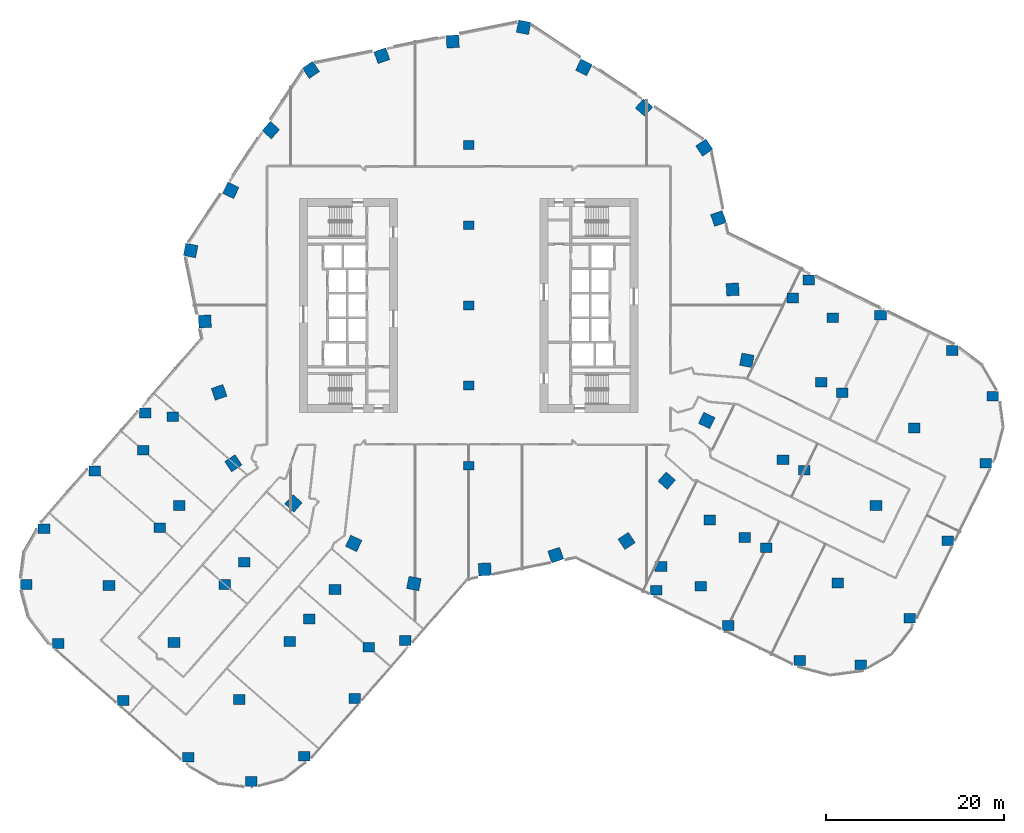
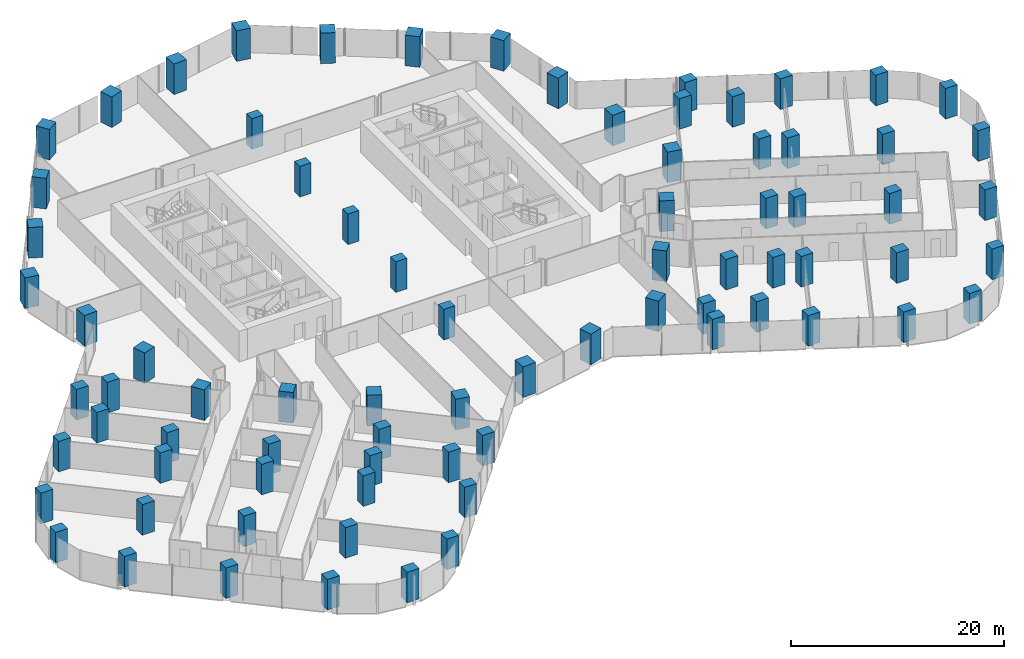
# One storey, part 1 of 38: 78 columns.
"""IFC4 building model written with IfcOpenShell, lengths in metres."""

import ifcopenshell
import ifcopenshell.guid

model = None  # the IFC model being written
_history = None  # IfcOwnerHistory: only IFC2X3 demands one
_inside = {}  # id of a spatial element -> (the spatial element, [elements in it])
_under = {}  # id of a project, library or spatial element -> (it, [spatial elements below it])
_declared = {}  # id of a project -> (the project, [libraries it declares])
_typed = {}  # id of a type object -> (the type object, [elements of that type])
_made_of = {}  # id of a material, layer set ... -> (it, [elements and type objects made of it])


def new_model(schema):
    """Start an empty IFC model of exactly this schema.

    Asked for "IFC4X3", IfcOpenShell would pick the latest addendum, in which some entities
    have other attributes; the version numbers below select the first issue.
    IFC2X3 requires an IfcOwnerHistory on every rooted entity: one is made here for all.
    """
    global model, _history
    if schema == "IFC4X3":
        model = ifcopenshell.file(schema_version=(4, 3, 0, 0))
    else:
        model = ifcopenshell.file(schema=schema)
    _inside.clear()
    _under.clear()
    _declared.clear()
    _typed.clear()
    _made_of.clear()
    _history = None
    if model.schema == "IFC2X3":
        org = make("IfcOrganization", Name="unknown")
        user = make(
            "IfcPersonAndOrganization",
            ThePerson=make("IfcPerson", FamilyName="unknown"),
            TheOrganization=org,
        )
        app = make(
            "IfcApplication",
            ApplicationDeveloper=org,
            Version="unknown",
            ApplicationFullName="unknown",
            ApplicationIdentifier="unknown",
        )
        _history = make(
            "IfcOwnerHistory",
            OwningUser=user,
            OwningApplication=app,
            ChangeAction="ADDED",
            CreationDate=0,
        )
    return model


def make(cls, **values):
    """One entity of the class cls with the attributes given. An attribute that is None is left unset."""
    return model.create_entity(
        cls, **{name: value for name, value in values.items() if value is not None}
    )


def rooted(cls, **values):
    """An entity with a GlobalId (a new one), such as an element, a storey or a relation."""
    return make(cls, GlobalId=ifcopenshell.guid.new(), OwnerHistory=_history, **values)


def si_unit(unit_type, name, prefix=None):
    """IfcSIUnit, for example si_unit("LENGTHUNIT", "METRE", prefix="MILLI")."""
    return make("IfcSIUnit", UnitType=unit_type, Prefix=prefix, Name=name)


def assignment(units):
    """IfcUnitAssignment: the units of a project."""
    return None if units is None else make("IfcUnitAssignment", Units=units)


def point(xyz):
    """IfcCartesianPoint."""
    return None if xyz is None else make("IfcCartesianPoint", Coordinates=xyz)


def direction(xyz):
    """IfcDirection."""
    return None if xyz is None else make("IfcDirection", DirectionRatios=xyz)


def frame(location, z_axis=None, x_axis=None):
    """IfcAxis2Placement3D, a coordinate frame: its origin and axes. An axis left out is left unset."""
    return make(
        "IfcAxis2Placement3D",
        Location=point(location),
        Axis=direction(z_axis),
        RefDirection=direction(x_axis),
    )


def frame_2d(location, x_axis=None):
    """IfcAxis2Placement2D, a coordinate frame in the plane: its origin and x axis."""
    return make(
        "IfcAxis2Placement2D", Location=point(location), RefDirection=direction(x_axis)
    )


def origin():
    """The frame at (0, 0, 0) with its axes left unset."""
    return frame((0.0, 0.0, 0.0))


def origin_2d():
    """The frame at (0, 0) in the plane with its x axis left unset."""
    return frame_2d((0.0, 0.0))


def place(relative_to, where):
    """IfcLocalPlacement: puts the frame where relative to a parent placement (None: the world)."""
    return make(
        "IfcLocalPlacement", PlacementRelTo=relative_to, RelativePlacement=where
    )


def context(
    kind, dimensions, precision=None, world=None, true_north=None, identifier=None
):
    """IfcGeometricRepresentationContext, for example the 3D "Model" context."""
    return make(
        "IfcGeometricRepresentationContext",
        ContextIdentifier=identifier,
        ContextType=kind,
        CoordinateSpaceDimension=dimensions,
        Precision=precision,
        WorldCoordinateSystem=world,
        TrueNorth=true_north,
    )


def subcontext(parent, identifier, kind, view, scale=None):
    """IfcGeometricRepresentationSubContext, for example "Body" below "Model"."""
    return make(
        "IfcGeometricRepresentationSubContext",
        ContextIdentifier=identifier,
        ContextType=kind,
        ParentContext=parent,
        TargetScale=scale,
        TargetView=view,
    )


def project(units=None, contexts=None):
    """IfcProject with its units and contexts."""
    return rooted(
        "IfcProject",
        Name="project",
        RepresentationContexts=contexts,
        UnitsInContext=assignment(units),
    )


def spatial(cls, under=None, at=None, **own):
    """A site, building, storey or space (cls), placed at a placement, below another one or the project."""
    s = rooted(cls, ObjectPlacement=at, **own)
    if under is not None:
        _under.setdefault(under.id(), (under, []))[1].append(s)
    return s


def profile(cls, at=None, kind="AREA", **sizes):
    """A parametric profile (cls). Its sizes go by their IFC names, for example OverallWidth=200.0."""
    return make(cls, ProfileType=kind, Position=at, **sizes)


def rectangle(**sizes):
    """IfcRectangleProfileDef."""
    return profile("IfcRectangleProfileDef", **sizes)


def extrude(swept, where, along, depth):
    """IfcExtrudedAreaSolid: the profile swept, set in the frame where, extruded along a direction by depth."""
    return make(
        "IfcExtrudedAreaSolid",
        SweptArea=swept,
        Position=where,
        ExtrudedDirection=direction(along),
        Depth=depth,
    )


def shape(context_of_items, identifier, shape_type, items):
    """IfcShapeRepresentation: the items that make up one representation, for example the "Body"."""
    return make(
        "IfcShapeRepresentation",
        ContextOfItems=context_of_items,
        RepresentationIdentifier=identifier,
        RepresentationType=shape_type,
        Items=items,
    )


def material(Name=None, Category=None):
    """IfcMaterial."""
    return make("IfcMaterial", Name=Name, Category=Category)


def material_profile(
    of_material, cross_section, Name=None, Category=None, Priority=None
):
    """IfcMaterialProfile: a cross section and its material."""
    return make(
        "IfcMaterialProfile",
        Name=Name,
        Material=of_material,
        Profile=cross_section,
        Priority=Priority,
        Category=Category,
    )


def profile_set(profiles, Name=None, composite=None):
    """IfcMaterialProfileSet."""
    return make(
        "IfcMaterialProfileSet",
        Name=Name,
        MaterialProfiles=profiles,
        CompositeProfile=composite,
    )


def made_of(thing, what):
    """Note that an element or type object is made of a material, layer set ...; save() writes the relation."""
    if what is not None:
        _made_of.setdefault(what.id(), (what, []))[1].append(thing)
    return thing


def type_object(cls, material=None, **own):
    """A type object (cls), such as IfcWallType, which elements share."""
    return made_of(rooted(cls, **own), material)


def element(
    cls,
    number,
    at=None,
    inside=None,
    cuts=None,
    type_object=None,
    material=None,
    context=None,
    identifier="Body",
    shape_type=None,
    held_by="IfcProductDefinitionShape",
    body=None,
    shapes=None,
    **own,
):
    """One element of the class cls, such as IfcWall. Its Tag is "e" and its number.

    at: its placement. inside: the storey or other place that contains it. cuts: it is an
    opening in that element (IfcRelVoidsElement). A single representation is given by context,
    identifier, shape_type and body (its items); several are given by shapes. held_by: the class
    of the entity that holds the representations. save() writes the other relations.
    """
    e = rooted(cls, Tag="e%d" % number, ObjectPlacement=at, **own)
    if body is not None:
        shapes = [shape(context, identifier, shape_type, body)]
    if shapes is not None:
        e.Representation = make(held_by, Representations=shapes)
    if inside is not None:
        _inside.setdefault(inside.id(), (inside, []))[1].append(e)
    if cuts is not None:
        rooted(
            "IfcRelVoidsElement", RelatingBuildingElement=cuts, RelatedOpeningElement=e
        )
    if type_object is not None:
        _typed.setdefault(type_object.id(), (type_object, []))[1].append(e)
    return made_of(e, material)


def aggregate(whole, parts):
    """IfcRelAggregates: a whole, such as a stair, and the parts it consists of."""
    return rooted("IfcRelAggregates", RelatingObject=whole, RelatedObjects=parts)


def save(model, path):
    """Write the relations noted so far, then the file.

    IfcRelAggregates (storeys below a building ...), IfcRelContainedInSpatialStructure (elements
    in a storey), IfcRelDefinesByType, IfcRelAssociatesMaterial and IfcRelDeclares: one each for
    every whole, place, type object, material and project.
    """
    for whole, parts in _under.values():
        aggregate(whole, parts)
    for where, things in _inside.values():
        rooted(
            "IfcRelContainedInSpatialStructure",
            RelatedElements=things,
            RelatingStructure=where,
        )
    for kind, things in _typed.values():
        rooted("IfcRelDefinesByType", RelatedObjects=things, RelatingType=kind)
    for what, things in _made_of.values():
        rooted("IfcRelAssociatesMaterial", RelatedObjects=things, RelatingMaterial=what)
    for by, libraries in _declared.values():
        rooted("IfcRelDeclares", RelatingContext=by, RelatedDefinitions=libraries)
    model.write(path)


model = new_model("IFC4")

# Units and contexts
model_context = context("Model", 3, precision=1e-05, world=origin(), true_north=direction((0.0, 1.0)))
body_context = subcontext(model_context, "Body", "Model", "MODEL_VIEW")
ifc_project = project(units=[si_unit("LENGTHUNIT", "METRE"), si_unit("AREAUNIT", "SQUARE_METRE"), si_unit("VOLUMEUNIT", "CUBIC_METRE"), si_unit("PLANEANGLEUNIT", "RADIAN"), si_unit("MASSUNIT", "GRAM", prefix="KILO")], contexts=[model_context])

# Site, building, storey
site_placement = place(None, origin())
site = spatial("IfcSite", under=ifc_project, at=site_placement, CompositionType="ELEMENT")
building_placement = place(site_placement, origin())
building = spatial("IfcBuilding", under=site, at=building_placement, Name="Orlundy Tower", CompositionType="ELEMENT")
storey_placement = place(building_placement, frame((0.0, 0.0, 69.300048828125)))
storey = spatial("IfcBuildingStorey", under=building, at=storey_placement, Name="L16", CompositionType="ELEMENT", Elevation=69.300048828125)

# Columns
ifc_material_1 = material(Name="Concrete C80/95", Category="concrete")
ifc_material_profile_1 = material_profile(ifc_material_1, rectangle(XDim=1.199951171875, YDim=1.0, at=origin_2d()), Name="RC1200X1000")
ifc_profile_set_1 = profile_set([ifc_material_profile_1], Name="Concrete C80/95")
column_type_1 = type_object("IfcColumnType", Name="RC COLUMN RC1200X1000 C80/95", PredefinedType="COLUMN", material=ifc_profile_set_1)
for number, where, z_axis, x_axis, name in (
    (1, (0.0, -18.0, 0.0), (0.0, 0.0, 1.0), (1.0, 0.0, 0.0), "Column C-M1 L16"),
    (2, (0.0, -9.0, 0.0), (0.0, 0.0, 1.0), (1.0, 0.0, 0.0), "Column C-M2 L16"),
    (3, (0.0, 0.0, 0.0), (0.0, 0.0, 1.0), (1.0, 0.0, 0.0), "Column C-M3 L16"),
    (4, (0.0, 9.0, 0.0), (0.0, 0.0, 1.0), (1.0, 0.0, 0.0), "Column C-M4 L16"),
    (5, (0.0, 18.0, 0.0), (0.0, 0.0, 1.0), (1.0, 0.0, 0.0), "Column C-M5 L16"),
):
    element("IfcColumn", number, at=place(storey_placement, frame(where, z_axis=z_axis, x_axis=x_axis)), inside=storey, type_object=column_type_1, Name=name, PredefinedType="COLUMN", context=body_context, shape_type="SweptSolid", body=[
        extrude(rectangle(XDim=1.199951171875, YDim=1.0, at=origin_2d()), origin(), (0.0, 0.0, 1.0), 3.5),
    ])
ifc_material_2 = material(Name="Concrete C80/95", Category="concrete")
ifc_material_profile_2 = material_profile(ifc_material_2, rectangle(XDim=1.300048828125, YDim=1.10009765625, at=origin_2d()), Name="RC1300X1100")
ifc_profile_set_2 = profile_set([ifc_material_profile_2], Name="Concrete C80/95")
column_type_2 = type_object("IfcColumnType", Name="RC COLUMN RC1300X1100 C80/95", PredefinedType="COLUMN", material=ifc_profile_set_2)
for number, where, z_axis, x_axis, name in (
    (6, (21.06298828125, -31.964111328125, 0.0), (0.0, 0.0, 1.0), (1.0, 0.0, 0.0), "Column C-A1-1 L16"),
    (7, (29.111083984375, -35.91796875, 0.0), (0.0, 0.0, 1.0), (1.0, 0.0, 0.0), "Column C-A1-2 L16"),
    (8, (37.157958984375, -39.873046875, 0.0), (0.0, 0.0, 1.0), (1.0, 0.0, 0.0), "Column C-A1-3 L16"),
    (9, (44.01611328125, -40.337890625, 0.0), (0.0, 0.0, 1.0), (1.0, 0.0, 0.0), "Column C-A1-5 L16"),
    (10, (26.06591796875, -31.51806640625, 0.0), (0.0, 0.0, 1.0), (1.0, 0.0, 0.0), "Column C-A1-6 L16"),
    (11, (21.577880859375, -29.31298828125, 0.0), (0.0, 0.0, 1.0), (1.0, 0.0, 0.0), "Column C-A1-7 L16"),
    (12, (33.387939453125, -27.212890625, 0.0), (0.0, 0.0, 1.0), (1.0, 0.0, 0.0), "Column C-A2-2 L16"),
    (13, (41.43603515625, -31.1669921875, 0.0), (0.0, 0.0, 1.0), (1.0, 0.0, 0.0), "Column C-A2-3 L16"),
    (14, (49.48388671875, -35.12109375, 0.0), (0.0, 0.0, 1.0), (1.0, 0.0, 0.0), "Column C-A2-5 L16"),
    (15, (30.9951171875, -26.037109375, 0.0), (0.0, 0.0, 1.0), (1.0, 0.0, 0.0), "Column C-A2-6 L16"),
    (16, (27.0458984375, -24.095947265625, 0.0), (0.0, 0.0, 1.0), (1.0, 0.0, 0.0), "Column C-A2-7 L16"),
    (17, (37.666015625, -18.507080078125, 0.0), (0.0, 0.0, 1.0), (1.0, 0.0, 0.0), "Column C-A3-2 L16"),
    (18, (45.712890625, -22.4609375, 0.0), (0.0, 0.0, 1.0), (1.0, 0.0, 0.0), "Column C-A3-3 L16"),
    (19, (53.760986328125, -26.4150390625, 0.0), (0.0, 0.0, 1.0), (1.0, 0.0, 0.0), "Column C-A3-5 L16"),
    (20, (35.27197265625, -17.3310546875, 0.0), (0.0, 0.0, 1.0), (1.0, 0.0, 0.0), "Column C-A3-6 L16"),
    (21, (41.943115234375, -9.801025390625, 0.0), (0.0, 0.0, 1.0), (1.0, 0.0, 0.0), "Column C-A4-2 L16"),
    (22, (49.990966796875, -13.7548828125, 0.0), (0.0, 0.0, 1.0), (1.0, 0.0, 0.0), "Column C-A4-3 L16"),
    (23, (58.0390625, -17.708984375, 0.0), (0.0, 0.0, 1.0), (1.0, 0.0, 0.0), "Column C-A4-5 L16"),
    (24, (39.550048828125, -8.625, 0.0), (0.0, 0.0, 1.0), (1.0, 0.0, 0.0), "Column C-A4-6 L16"),
    (25, (38.173095703125, 2.85888671875, 0.0), (0.0, 0.0, 1.0), (1.0, 0.0, 0.0), "Column C-A5-1 L16"),
    (26, (46.220947265625, -1.094970703125, 0.0), (0.0, 0.0, 1.0), (1.0, 0.0, 0.0), "Column C-A5-2 L16"),
    (27, (54.26904296875, -5.049072265625, 0.0), (0.0, 0.0, 1.0), (1.0, 0.0, 0.0), "Column C-A5-3 L16"),
    (28, (58.826904296875, -10.193115234375, 0.0), (0.0, 0.0, 1.0), (1.0, 0.0, 0.0), "Column C-A5-5 L16"),
    (29, (40.876953125, -1.3740234375, 0.0), (0.0, 0.0, 1.0), (1.0, 0.0, 0.0), "Column C-A5-6 L16"),
    (30, (36.388916015625, 0.8310546875, 0.0), (0.0, 0.0, 1.0), (1.0, 0.0, 0.0), "Column C-A5-7 L16"),
    (31, (-36.326904296875, -12.072021484375, 0.0), (0.0, 0.0, 1.0), (1.0, 0.0, 0.0), "Column C-B1-1 L16"),
    (32, (-42.009033203125, -18.571044921875, 0.0), (0.0, 0.0, 1.0), (1.0, 0.0, 0.0), "Column C-B1-2 L16"),
    (33, (-47.68896484375, -25.072998046875, 0.0), (0.0, 0.0, 1.0), (1.0, 0.0, 0.0), "Column C-B1-3 L16"),
    (34, (-49.697021484375, -31.322998046875, 0.0), (0.0, 0.0, 1.0), (1.0, 0.0, 0.0), "Column C-B1-5 L16"),
    (35, (-36.531982421875, -16.26708984375, 0.0), (0.0, 0.0, 1.0), (1.0, 0.0, 0.0), "Column C-B1-6 L16"),
    (36, (-33.240966796875, -12.5029296875, 0.0), (0.0, 0.0, 1.0), (1.0, 0.0, 0.0), "Column C-B1-7 L16"),
    (37, (-34.70703125, -24.9560546875, 0.0), (0.0, 0.0, 1.0), (1.0, 0.0, 0.0), "Column C-B2-2 L16"),
    (38, (-40.389892578125, -31.4560546875, 0.0), (0.0, 0.0, 1.0), (1.0, 0.0, 0.0), "Column C-B2-3 L16"),
    (39, (-46.072998046875, -37.955078125, 0.0), (0.0, 0.0, 1.0), (1.0, 0.0, 0.0), "Column C-B2-5 L16"),
    (40, (-32.512939453125, -22.447021484375, 0.0), (0.0, 0.0, 1.0), (1.0, 0.0, 0.0), "Column C-B2-6 L16"),
    (41, (-27.405029296875, -31.341064453125, 0.0), (0.0, 0.0, 1.0), (1.0, 0.0, 0.0), "Column C-B3-2 L16"),
    (42, (-33.087890625, -37.841064453125, 0.0), (0.0, 0.0, 1.0), (1.0, 0.0, 0.0), "Column C-B3-3 L16"),
    (43, (-38.77099609375, -44.340087890625, 0.0), (0.0, 0.0, 1.0), (1.0, 0.0, 0.0), "Column C-B3-5 L16"),
    (44, (-25.2109375, -28.83203125, 0.0), (0.0, 0.0, 1.0), (1.0, 0.0, 0.0), "Column C-B3-6 L16"),
    (45, (-20.10302734375, -37.72705078125, 0.0), (0.0, 0.0, 1.0), (1.0, 0.0, 0.0), "Column C-B4-2 L16"),
    (46, (-25.785888671875, -44.22607421875, 0.0), (0.0, 0.0, 1.0), (1.0, 0.0, 0.0), "Column C-B4-3 L16"),
    (47, (-31.468994140625, -50.72509765625, 0.0), (0.0, 0.0, 1.0), (1.0, 0.0, 0.0), "Column C-B4-5 L16"),
    (48, (-17.908935546875, -35.217041015625, 0.0), (0.0, 0.0, 1.0), (1.0, 0.0, 0.0), "Column C-B4-6 L16"),
    (49, (-15.012939453125, -31.905029296875, 0.0), (0.0, 0.0, 1.0), (1.0, 0.0, 0.0), "Column C-B4-7 L16"),
    (50, (-7.117919921875, -37.612060546875, 0.0), (0.0, 0.0, 1.0), (1.0, 0.0, 0.0), "Column C-B5-1 L16"),
    (51, (-12.801025390625, -44.112060546875, 0.0), (0.0, 0.0, 1.0), (1.0, 0.0, 0.0), "Column C-B5-2 L16"),
    (52, (-18.487060546875, -50.60791015625, 0.0), (0.0, 0.0, 1.0), (1.0, 0.0, 0.0), "Column C-B5-3 L16"),
    (53, (-24.4130859375, -53.431884765625, 0.0), (0.0, 0.0, 1.0), (1.0, 0.0, 0.0), "Column C-B5-5 L16"),
    (54, (-11.248046875, -38.3759765625, 0.0), (0.0, 0.0, 1.0), (1.0, 0.0, 0.0), "Column C-B5-6 L16"),
):
    element("IfcColumn", number, at=place(storey_placement, frame(where, z_axis=z_axis, x_axis=x_axis)), inside=storey, type_object=column_type_2, Name=name, PredefinedType="COLUMN", context=body_context, shape_type="SweptSolid", body=[
        extrude(rectangle(XDim=1.300048828125, YDim=1.10009765625, at=origin_2d()), origin(), (0.0, 0.0, 1.0), 3.5),
    ])
ifc_material_3 = material(Name="Concrete C80/95", Category="concrete")
ifc_material_profile_3 = material_profile(ifc_material_3, rectangle(XDim=1.39990234375, YDim=1.39990234375, at=origin_2d()), Name="RC1400X1400")
ifc_profile_set_3 = profile_set([ifc_material_profile_3], Name="Concrete C80/95")
column_type_3 = type_object("IfcColumnType", Name="RC COLUMN RC1400X1400 C80/95", PredefinedType="COLUMN", material=ifc_profile_set_3)
for number, where, z_axis, x_axis, name in (
    (55, (26.43408203125, 17.718017578125, 0.0), (0.0, 0.0, 1.0), (0.830663928188, 0.5567741359, 0.0), "Column C-H01 L16"),
    (56, (28.029052734375, 9.758056640625, 0.0), (0.0, 0.0, 1.0), (0.94440506567, 0.328784233101, 0.0), "Column C-H02 L16"),
    (57, (29.6240234375, 1.797119140625, 0.0), (0.0, 0.0, 1.0), (0.99816557001, 0.060543330317, 0.0), "Column C-H03 L16"),
    (58, (31.219970703125, -6.1630859375, 0.0), (0.0, 0.0, 1.0), (0.981066863593, -0.193669329425, 0.0), "Column C-H04 L16"),
    (59, (26.718994140625, -12.919921875, 0.0), (0.0, 0.0, 1.0), (0.900273189172, -0.435325378147, 0.0), "Column C-H05 L16"),
    (60, (22.218994140625, -19.677001953125, 0.0), (0.0, 0.0, 1.0), (0.748631814126, -0.66298597789, 0.0), "Column C-H06 L16"),
    (61, (17.718017578125, -26.43408203125, 0.0), (0.0, 0.0, 1.0), (0.5567741359, -0.830663928188, 0.0), "Column C-H07 L16"),
    (62, (9.758056640625, -28.029052734375, 0.0), (0.0, 0.0, 1.0), (0.328784233101, -0.94440506567, 0.0), "Column C-H08 L16"),
    (63, (1.797119140625, -29.6240234375, 0.0), (0.0, 0.0, 1.0), (0.060543330317, -0.99816557001, 0.0), "Column C-H09 L16"),
    (64, (-6.1630859375, -31.219970703125, 0.0), (0.0, 0.0, 1.0), (-0.193669329425, -0.981066863593, 0.0), "Column C-H10 L16"),
    (65, (-12.919921875, -26.718994140625, 0.0), (0.0, 0.0, 1.0), (-0.435325378147, -0.900273189172, 0.0), "Column C-H11 L16"),
    (66, (-19.677001953125, -22.218994140625, 0.0), (0.0, 0.0, 1.0), (-0.66298597789, -0.748631814126, 0.0), "Column C-H12 L16"),
    (67, (-26.43408203125, -17.718017578125, 0.0), (0.0, 0.0, 1.0), (-0.830663928188, -0.5567741359, 0.0), "Column C-H13 L16"),
    (68, (-28.029052734375, -9.758056640625, 0.0), (0.0, 0.0, 1.0), (-0.94440506567, -0.328784233101, 0.0), "Column C-H14 L16"),
    (69, (-29.6240234375, -1.797119140625, 0.0), (0.0, 0.0, 1.0), (-0.99816557001, -0.060543330317, 0.0), "Column C-H15 L16"),
    (70, (-31.219970703125, 6.1630859375, 0.0), (0.0, 0.0, 1.0), (-0.981066863593, 0.193669329425, 0.0), "Column C-H16 L16"),
    (71, (-26.718994140625, 12.919921875, 0.0), (0.0, 0.0, 1.0), (-0.900273189172, 0.435325378147, 0.0), "Column C-H17 L16"),
    (72, (-22.218994140625, 19.677001953125, 0.0), (0.0, 0.0, 1.0), (-0.748631814126, 0.66298597789, 0.0), "Column C-H18 L16"),
    (73, (-17.718017578125, 26.43408203125, 0.0), (0.0, 0.0, 1.0), (-0.5567741359, 0.830663928188, 0.0), "Column C-H19 L16"),
    (74, (-9.758056640625, 28.029052734375, 0.0), (0.0, 0.0, 1.0), (-0.328784233101, 0.94440506567, 0.0), "Column C-H20 L16"),
    (75, (-1.797119140625, 29.6240234375, 0.0), (0.0, 0.0, 1.0), (-0.060543330317, 0.99816557001, 0.0), "Column C-H21 L16"),
    (76, (6.1630859375, 31.219970703125, 0.0), (0.0, 0.0, 1.0), (0.193669329425, 0.981066863593, 0.0), "Column C-H22 L16"),
    (77, (12.919921875, 26.718994140625, 0.0), (0.0, 0.0, 1.0), (0.435325378147, 0.900273189172, 0.0), "Column C-H23 L16"),
    (78, (19.677001953125, 22.218994140625, 0.0), (0.0, 0.0, 1.0), (0.66298597789, 0.748631814126, 0.0), "Column C-H24 L16"),
):
    element("IfcColumn", number, at=place(storey_placement, frame(where, z_axis=z_axis, x_axis=x_axis)), inside=storey, type_object=column_type_3, Name=name, PredefinedType="COLUMN", context=body_context, shape_type="SweptSolid", body=[
        extrude(rectangle(XDim=1.39990234375, YDim=1.39990234375, at=origin_2d()), origin(), (0.0, 0.0, 1.0), 3.5),
    ])

save(model, "model.ifc")
